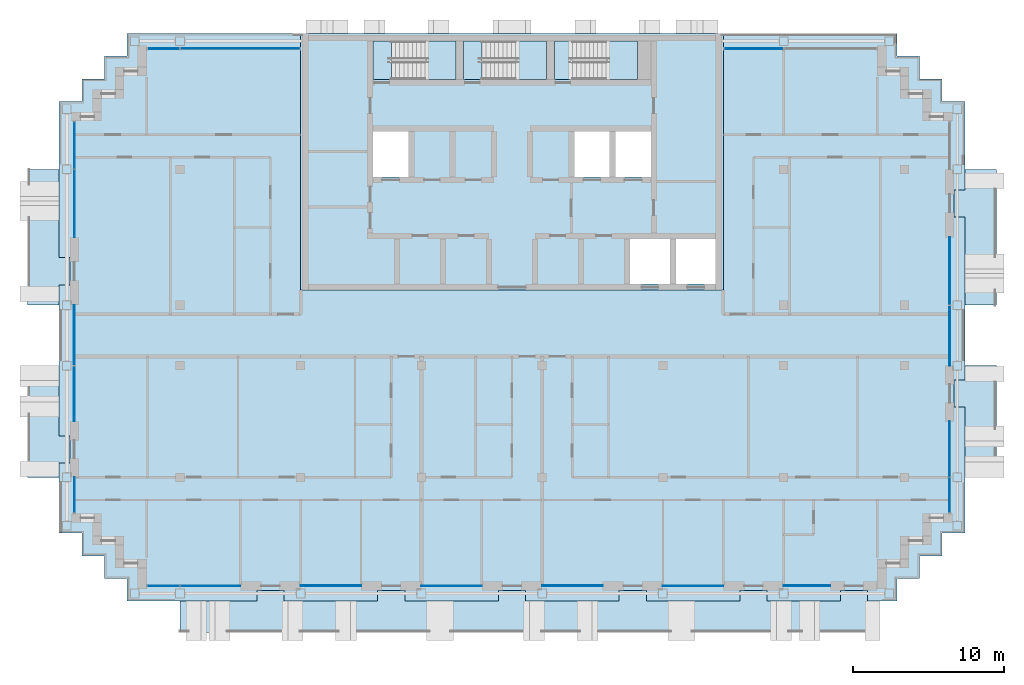
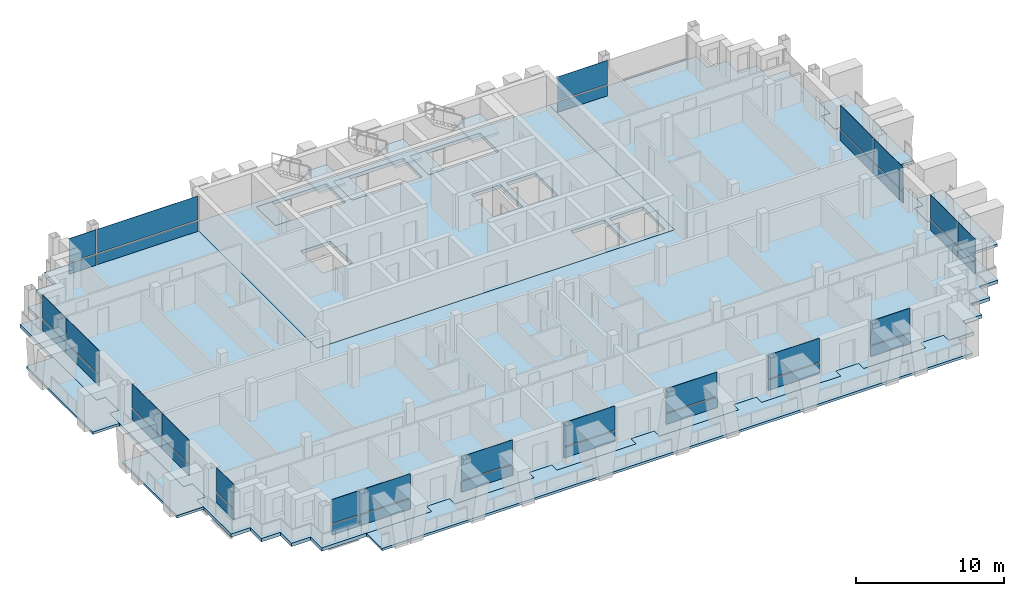
# One storey, part 6 of 16: 38 plates, 13 slabs, 16 elements without a shape of their own.
"""IFC4 building model written with IfcOpenShell, lengths in metres."""

from ifc_helpers import new_model, si_unit, direction, frame, origin, origin_2d, place, context, subcontext, project, spatial, polyline, rectangle, outline, extrude, material, layer, layer_set, type_object, element, aggregate, save


model = new_model("IFC4")

# Units and contexts
model_context = context("Model", 3, precision=1e-05, world=origin(), true_north=direction((0.0, 1.0)))
body_context = subcontext(model_context, "Body", "Model", "MODEL_VIEW")
ifc_project = project(units=[si_unit("LENGTHUNIT", "METRE"), si_unit("AREAUNIT", "SQUARE_METRE"), si_unit("VOLUMEUNIT", "CUBIC_METRE"), si_unit("PLANEANGLEUNIT", "RADIAN"), si_unit("MASSUNIT", "GRAM", prefix="KILO")], contexts=[model_context])

# Site, building, storey
site_placement = place(None, origin())
site = spatial("IfcSite", under=ifc_project, at=site_placement, CompositionType="ELEMENT")
building_placement = place(site_placement, origin())
building = spatial("IfcBuilding", under=site, at=building_placement, Name="Vidyagriha Tower", CompositionType="ELEMENT")
storey_placement = place(building_placement, frame((0.0, 0.0, 223.60009765625)))
storey = spatial("IfcBuildingStorey", under=building, at=storey_placement, Name="L58", CompositionType="ELEMENT", Elevation=223.60009765625)

# Curtain wall, plate
ifc_material_1 = material(Name="Aluminium and glass curtain wall", Category="aluminium")
curtain_wall_type = type_object("IfcCurtainWallType", Name="Dwelling skin unitised curtain wall", PredefinedType="USERDEFINED", material=ifc_material_1)
curtain_wall_1_placement = place(storey_placement, origin())
curtain_wall_1 = element("IfcCurtainWall", 1, at=curtain_wall_1_placement, inside=storey, type_object=curtain_wall_type, Name="CW1 dwelling skin", ObjectType="UNITISED", PredefinedType="USERDEFINED")
ifc_material_2 = material(Name="Glass dark ceramic-fritted spandrel", Category="glass")
ifc_layer_1 = layer(ifc_material_2, 0.0400390625)
ifc_layer_set_1 = layer_set([ifc_layer_1], Name="Glass dark ceramic-fritted spandrel")
plate_type_1 = type_object("IfcPlateType", Name="Ceramic-fritted spandrel panel", PredefinedType="CURTAIN_PANEL", material=ifc_layer_set_1)
plate_1_placement = place(storey_placement, frame((-18.017578125, 19.0, -0.000244140625), z_axis=(0.0, 0.0, 1.0), x_axis=(-1.0, 0.0, 0.0)))
plate_1 = element("IfcPlate", 2, at=plate_1_placement, type_object=plate_type_1, Name="CW1 panel 1.1", PredefinedType="CURTAIN_PANEL", context=body_context, shape_type="SweptSolid", body=[
    extrude(rectangle(XDim=7.89501953125, YDim=0.0400390625, at=origin_2d()), origin(), (0.0, 0.0, 1.0), 0.85009765625),
])

# Curtain wall, plates
curtain_wall_2_placement = place(storey_placement, origin())
curtain_wall_2 = element("IfcCurtainWall", 3, at=curtain_wall_2_placement, inside=storey, type_object=curtain_wall_type, Name="CW1 dwelling skin", ObjectType="UNITISED", PredefinedType="USERDEFINED")
plate_2_placement = place(storey_placement, frame((-29.0, 12.58251953125, -0.000244140625), z_axis=(0.0, 0.0, 1.0), x_axis=(0.0, -1.0, 0.0)))
plate_2 = element("IfcPlate", 4, at=plate_2_placement, type_object=plate_type_1, Name="CW1 panel 1.1", PredefinedType="CURTAIN_PANEL", context=body_context, shape_type="SweptSolid", body=[
    extrude(rectangle(XDim=3.094970703125, YDim=0.0400390625, at=origin_2d()), origin(), (0.0, 0.0, 1.0), 0.85009765625),
])
plate_3_placement = place(storey_placement, frame((-29.0, 8.732421875, -0.000244140625), z_axis=(0.0, 0.0, 1.0), x_axis=(0.0, -1.0, 0.0)))
plate_3 = element("IfcPlate", 5, at=plate_3_placement, type_object=plate_type_1, Name="CW1 panel 2.1", PredefinedType="CURTAIN_PANEL", context=body_context, shape_type="SweptSolid", body=[
    extrude(rectangle(XDim=4.465087890625, YDim=0.0400390625, at=origin_2d()), origin(), (0.0, 0.0, 1.0), 0.85009765625),
])

# Curtain wall, plate
curtain_wall_3_placement = place(storey_placement, origin())
curtain_wall_3 = element("IfcCurtainWall", 6, at=curtain_wall_3_placement, inside=storey, type_object=curtain_wall_type, Name="CW1 dwelling skin", ObjectType="UNITISED", PredefinedType="USERDEFINED")
plate_4_placement = place(storey_placement, frame((-29.0, -10.56494140625, -0.000244140625), z_axis=(0.0, 0.0, 1.0), x_axis=(0.0, -1.0, 0.0)))
plate_4 = element("IfcPlate", 7, at=plate_4_placement, type_object=plate_type_1, Name="CW1 panel 1.1", PredefinedType="CURTAIN_PANEL", context=body_context, shape_type="SweptSolid", body=[
    extrude(rectangle(XDim=2.330078125, YDim=0.0400390625, at=origin_2d()), origin(), (0.0, 0.0, 1.0), 0.85009765625),
])

# Curtain wall, plates
curtain_wall_4_placement = place(storey_placement, origin())
curtain_wall_4 = element("IfcCurtainWall", 8, at=curtain_wall_4_placement, inside=storey, type_object=curtain_wall_type, Name="CW1 dwelling skin", ObjectType="UNITISED", PredefinedType="USERDEFINED")
plate_5_placement = place(storey_placement, frame((-23.08251953125, -16.60009765625, -0.000244140625)))
plate_5 = element("IfcPlate", 9, at=plate_5_placement, type_object=plate_type_1, Name="CW1 panel 1.1", PredefinedType="CURTAIN_PANEL", context=body_context, shape_type="SweptSolid", body=[
    extrude(rectangle(XDim=2.094970703125, YDim=0.0400390625, at=origin_2d()), origin(), (0.0, 0.0, 1.0), 0.85009765625),
])
plate_6_placement = place(storey_placement, frame((-19.982421875, -16.60009765625, -0.000244140625)))
plate_6 = element("IfcPlate", 10, at=plate_6_placement, type_object=plate_type_1, Name="CW1 panel 2.1", PredefinedType="CURTAIN_PANEL", context=body_context, shape_type="SweptSolid", body=[
    extrude(rectangle(XDim=3.965087890625, YDim=0.0400390625, at=origin_2d()), origin(), (0.0, 0.0, 1.0), 0.85009765625),
])

# Curtain wall, plate
curtain_wall_5_placement = place(storey_placement, origin())
curtain_wall_5 = element("IfcCurtainWall", 11, at=curtain_wall_5_placement, inside=storey, type_object=curtain_wall_type, Name="CW1 dwelling skin", ObjectType="UNITISED", PredefinedType="USERDEFINED")
plate_7_placement = place(storey_placement, frame((-4.0, -16.60009765625, -0.000244140625)))
plate_7 = element("IfcPlate", 12, at=plate_7_placement, type_object=plate_type_1, Name="CW1 panel 1.1", PredefinedType="CURTAIN_PANEL", context=body_context, shape_type="SweptSolid", body=[
    extrude(rectangle(XDim=4.0, YDim=0.0400390625, at=origin_2d()), origin(), (0.0, 0.0, 1.0), 0.85009765625),
])

curtain_wall_6_placement = place(storey_placement, origin())
curtain_wall_6 = element("IfcCurtainWall", 13, at=curtain_wall_6_placement, inside=storey, type_object=curtain_wall_type, Name="CW1 dwelling skin", ObjectType="UNITISED", PredefinedType="USERDEFINED")
plate_8_placement = place(storey_placement, frame((12.0, -16.60009765625, -0.000244140625)))
plate_8 = element("IfcPlate", 14, at=plate_8_placement, type_object=plate_type_1, Name="CW1 panel 1.1", PredefinedType="CURTAIN_PANEL", context=body_context, shape_type="SweptSolid", body=[
    extrude(rectangle(XDim=4.0, YDim=0.0400390625, at=origin_2d()), origin(), (0.0, 0.0, 1.0), 0.85009765625),
])

# Curtain wall, plates
curtain_wall_7_placement = place(storey_placement, origin())
curtain_wall_7 = element("IfcCurtainWall", 15, at=curtain_wall_7_placement, inside=storey, type_object=curtain_wall_type, Name="CW1 dwelling skin", ObjectType="UNITISED", PredefinedType="USERDEFINED")
plate_9_placement = place(storey_placement, frame((29.0, -10.58251953125, -0.000244140625), z_axis=(0.0, 0.0, 1.0), x_axis=(0.0, 1.0, 0.0)))
plate_9 = element("IfcPlate", 16, at=plate_9_placement, type_object=plate_type_1, Name="CW1 panel 1.1", PredefinedType="CURTAIN_PANEL", context=body_context, shape_type="SweptSolid", body=[
    extrude(rectangle(XDim=2.294921875, YDim=0.0400390625, at=origin_2d()), origin(), (0.0, 0.0, 1.0), 0.85009765625),
])
plate_10_placement = place(storey_placement, frame((29.0, -7.532470703125, -0.000244140625), z_axis=(0.0, 0.0, 1.0), x_axis=(0.0, 1.0, 0.0)))
plate_10 = element("IfcPlate", 17, at=plate_10_placement, type_object=plate_type_1, Name="CW1 panel 2.1", PredefinedType="CURTAIN_PANEL", context=body_context, shape_type="SweptSolid", body=[
    extrude(rectangle(XDim=3.6650390625, YDim=0.0400390625, at=origin_2d()), origin(), (0.0, 0.0, 1.0), 0.85009765625),
])

# Slab
ifc_material_3 = material(Name="Concrete C60/75", Category="concrete")
ifc_layer_2 = layer(ifc_material_3, 0.280029296875)
ifc_layer_set_2 = layer_set([ifc_layer_2], Name="Concrete C60/75")
slab_type_1 = type_object("IfcSlabType", Name="Core floor slab 280 mm", PredefinedType="FLOOR", material=ifc_layer_set_2)
slab_1_placement = place(storey_placement, frame((0.0, 0.0, -0.280029296875)))
element("IfcSlab", 18, at=slab_1_placement, inside=storey, type_object=slab_type_1, Name="L58 core floor 1", PredefinedType="FLOOR", context=body_context, shape_type="SweptSolid", body=[
    extrude(outline(polyline([(-14.0, 3.0), (-14.0, 20.0), (14.0, 20.0), (14.0, 3.0), (-14.0, 3.0)]), holes=[polyline([(13.5, 6.39990234375), (10.855712890625, 6.39990234375), (10.855712890625, 3.39990234375), (13.5, 3.39990234375), (13.5, 6.39990234375)]), polyline([(10.45556640625, 6.39990234375), (7.81103515625, 6.39990234375), (7.81103515625, 3.39990234375), (10.45556640625, 3.39990234375), (10.45556640625, 6.39990234375)]), polyline([(9.199951171875, 13.5), (6.86669921875, 13.5), (6.86669921875, 10.5), (9.199951171875, 10.5), (9.199951171875, 13.5)]), polyline([(2.800048828125, 19.5), (2.800048828125, 16.949951171875), (4.0, 16.949951171875), (8.300048828125, 16.949951171875), (8.300048828125, 19.5), (4.0, 19.5), (2.800048828125, 19.5)]), polyline([(4.13330078125, 13.5), (4.13330078125, 10.5), (6.466796875, 10.5), (6.466796875, 13.5), (4.13330078125, 13.5)]), polyline([(-2.0, 19.5), (-3.199951171875, 19.5), (-3.199951171875, 16.949951171875), (-2.0, 16.949951171875), (2.300048828125, 16.949951171875), (2.300048828125, 19.5), (-2.0, 19.5)]), polyline([(-9.199951171875, 19.5), (-9.199951171875, 16.949951171875), (-8.0, 16.949951171875), (-3.699951171875, 16.949951171875), (-3.699951171875, 19.5), (-8.0, 19.5), (-9.199951171875, 19.5)]), polyline([(-9.199951171875, 13.5), (-9.199951171875, 10.5), (-6.86669921875, 10.5), (-6.86669921875, 13.5), (-9.199951171875, 13.5)])]), origin(), (0.0, 0.0, 1.0), 0.280029296875),
])

# Curtain wall, plate
curtain_wall_8_placement = place(storey_placement, origin())
curtain_wall_8 = element("IfcCurtainWall", 19, at=curtain_wall_8_placement, inside=storey, type_object=curtain_wall_type, Name="CW1 dwelling skin", ObjectType="UNITISED", PredefinedType="USERDEFINED")
ifc_material_4 = material(Name="Glass dark ceramic-fritted", Category="glass")
ifc_layer_3 = layer(ifc_material_4, 0.028076171875)
ifc_layer_set_3 = layer_set([ifc_layer_3], Name="Glass dark ceramic-fritted")
plate_type_2 = type_object("IfcPlateType", Name="Dark ceramic-fritted vision glass panel", PredefinedType="CURTAIN_PANEL", material=ifc_layer_set_3)
plate_11_placement = place(storey_placement, frame((16.017578125, 19.0, 0.94970703125), z_axis=(0.0, 0.0, 1.0), x_axis=(-1.0, 0.0, 0.0)))
plate_11 = element("IfcPlate", 20, at=plate_11_placement, type_object=plate_type_2, Name="CW1 panel 2.2", PredefinedType="CURTAIN_PANEL", context=body_context, shape_type="SweptSolid", body=[
    extrude(rectangle(XDim=3.89501953125, YDim=0.028076171875, at=origin_2d()), origin(), (0.0, 0.0, 1.0), 1.969970703125),
])

# Plate
plate_12_placement = place(storey_placement, frame((-18.017578125, 19.0, 0.94970703125), z_axis=(0.0, 0.0, 1.0), x_axis=(-1.0, 0.0, 0.0)))
plate_12 = element("IfcPlate", 21, at=plate_12_placement, type_object=plate_type_2, Name="CW1 panel 1.2", PredefinedType="CURTAIN_PANEL", context=body_context, shape_type="SweptSolid", body=[
    extrude(rectangle(XDim=7.89501953125, YDim=0.028076171875, at=origin_2d()), origin(), (0.0, 0.0, 1.0), 1.969970703125),
])

plate_13_placement = place(storey_placement, frame((-23.08251953125, 19.0, 0.94970703125), z_axis=(0.0, 0.0, 1.0), x_axis=(-1.0, 0.0, 0.0)))
plate_13 = element("IfcPlate", 22, at=plate_13_placement, type_object=plate_type_2, Name="CW1 panel 2.2", PredefinedType="CURTAIN_PANEL", context=body_context, shape_type="SweptSolid", body=[
    extrude(rectangle(XDim=2.094970703125, YDim=0.028076171875, at=origin_2d()), origin(), (0.0, 0.0, 1.0), 1.969970703125),
])

plate_14_placement = place(storey_placement, frame((-29.0, 12.58251953125, 0.94970703125), z_axis=(0.0, 0.0, 1.0), x_axis=(0.0, -1.0, 0.0)))
plate_14 = element("IfcPlate", 23, at=plate_14_placement, type_object=plate_type_2, Name="CW1 panel 1.2", PredefinedType="CURTAIN_PANEL", context=body_context, shape_type="SweptSolid", body=[
    extrude(rectangle(XDim=3.094970703125, YDim=0.028076171875, at=origin_2d()), origin(), (0.0, 0.0, 1.0), 1.969970703125),
])

plate_15_placement = place(storey_placement, frame((-29.0, 8.732421875, 0.94970703125), z_axis=(0.0, 0.0, 1.0), x_axis=(0.0, -1.0, 0.0)))
plate_15 = element("IfcPlate", 24, at=plate_15_placement, type_object=plate_type_2, Name="CW1 panel 2.2", PredefinedType="CURTAIN_PANEL", context=body_context, shape_type="SweptSolid", body=[
    extrude(rectangle(XDim=4.465087890625, YDim=0.028076171875, at=origin_2d()), origin(), (0.0, 0.0, 1.0), 1.969970703125),
])

aggregate(curtain_wall_2, [plate_2, plate_14, plate_3, plate_15])

# Curtain wall, plates
curtain_wall_9_placement = place(storey_placement, origin())
curtain_wall_9 = element("IfcCurtainWall", 25, at=curtain_wall_9_placement, inside=storey, type_object=curtain_wall_type, Name="CW1 dwelling skin", ObjectType="UNITISED", PredefinedType="USERDEFINED")
plate_16_placement = place(storey_placement, frame((-29.0, 0.017578125, 0.94970703125), z_axis=(0.0, 0.0, 1.0), x_axis=(0.0, -1.0, 0.0)))
plate_16 = element("IfcPlate", 26, at=plate_16_placement, type_object=plate_type_2, Name="CW1 panel 1.2", PredefinedType="CURTAIN_PANEL", context=body_context, shape_type="SweptSolid", body=[
    extrude(rectangle(XDim=3.965087890625, YDim=0.028076171875, at=origin_2d()), origin(), (0.0, 0.0, 1.0), 1.969970703125),
])
plate_17_placement = place(storey_placement, frame((-29.0, -3.867431640625, 0.94970703125), z_axis=(0.0, 0.0, 1.0), x_axis=(0.0, -1.0, 0.0)))
plate_17 = element("IfcPlate", 27, at=plate_17_placement, type_object=plate_type_2, Name="CW1 panel 2.2", PredefinedType="CURTAIN_PANEL", context=body_context, shape_type="SweptSolid", body=[
    extrude(rectangle(XDim=3.6650390625, YDim=0.028076171875, at=origin_2d()), origin(), (0.0, 0.0, 1.0), 1.969970703125),
])

# Plate
plate_18_placement = place(storey_placement, frame((-29.0, -10.56494140625, 0.94970703125), z_axis=(0.0, 0.0, 1.0), x_axis=(0.0, -1.0, 0.0)))
plate_18 = element("IfcPlate", 28, at=plate_18_placement, type_object=plate_type_2, Name="CW1 panel 1.2", PredefinedType="CURTAIN_PANEL", context=body_context, shape_type="SweptSolid", body=[
    extrude(rectangle(XDim=2.330078125, YDim=0.028076171875, at=origin_2d()), origin(), (0.0, 0.0, 1.0), 1.969970703125),
])

aggregate(curtain_wall_3, [plate_4, plate_18])

plate_19_placement = place(storey_placement, frame((-23.08251953125, -16.60009765625, 0.94970703125)))
plate_19 = element("IfcPlate", 29, at=plate_19_placement, type_object=plate_type_2, Name="CW1 panel 1.2", PredefinedType="CURTAIN_PANEL", context=body_context, shape_type="SweptSolid", body=[
    extrude(rectangle(XDim=2.094970703125, YDim=0.028076171875, at=origin_2d()), origin(), (0.0, 0.0, 1.0), 1.969970703125),
])

plate_20_placement = place(storey_placement, frame((-19.982421875, -16.60009765625, 0.94970703125)))
plate_20 = element("IfcPlate", 30, at=plate_20_placement, type_object=plate_type_2, Name="CW1 panel 2.2", PredefinedType="CURTAIN_PANEL", context=body_context, shape_type="SweptSolid", body=[
    extrude(rectangle(XDim=3.965087890625, YDim=0.028076171875, at=origin_2d()), origin(), (0.0, 0.0, 1.0), 1.969970703125),
])

aggregate(curtain_wall_4, [plate_5, plate_19, plate_6, plate_20])

# Curtain wall, plate
curtain_wall_10_placement = place(storey_placement, origin())
curtain_wall_10 = element("IfcCurtainWall", 31, at=curtain_wall_10_placement, inside=storey, type_object=curtain_wall_type, Name="CW1 dwelling skin", ObjectType="UNITISED", PredefinedType="USERDEFINED")
plate_21_placement = place(storey_placement, frame((-12.0, -16.60009765625, 0.94970703125)))
plate_21 = element("IfcPlate", 32, at=plate_21_placement, type_object=plate_type_2, Name="CW1 panel 1.2", PredefinedType="CURTAIN_PANEL", context=body_context, shape_type="SweptSolid", body=[
    extrude(rectangle(XDim=4.0, YDim=0.028076171875, at=origin_2d()), origin(), (0.0, 0.0, 1.0), 1.969970703125),
])

# Plate
plate_22_placement = place(storey_placement, frame((-4.0, -16.60009765625, 0.94970703125)))
plate_22 = element("IfcPlate", 33, at=plate_22_placement, type_object=plate_type_2, Name="CW1 panel 1.2", PredefinedType="CURTAIN_PANEL", context=body_context, shape_type="SweptSolid", body=[
    extrude(rectangle(XDim=4.0, YDim=0.028076171875, at=origin_2d()), origin(), (0.0, 0.0, 1.0), 1.969970703125),
])

aggregate(curtain_wall_5, [plate_7, plate_22])

# Curtain wall, plate
curtain_wall_11_placement = place(storey_placement, origin())
curtain_wall_11 = element("IfcCurtainWall", 34, at=curtain_wall_11_placement, inside=storey, type_object=curtain_wall_type, Name="CW1 dwelling skin", ObjectType="UNITISED", PredefinedType="USERDEFINED")
plate_23_placement = place(storey_placement, frame((4.0, -16.60009765625, 0.94970703125)))
plate_23 = element("IfcPlate", 35, at=plate_23_placement, type_object=plate_type_2, Name="CW1 panel 1.2", PredefinedType="CURTAIN_PANEL", context=body_context, shape_type="SweptSolid", body=[
    extrude(rectangle(XDim=4.0, YDim=0.028076171875, at=origin_2d()), origin(), (0.0, 0.0, 1.0), 1.969970703125),
])

# Plate
plate_24_placement = place(storey_placement, frame((12.0, -16.60009765625, 0.94970703125)))
plate_24 = element("IfcPlate", 36, at=plate_24_placement, type_object=plate_type_2, Name="CW1 panel 1.2", PredefinedType="CURTAIN_PANEL", context=body_context, shape_type="SweptSolid", body=[
    extrude(rectangle(XDim=4.0, YDim=0.028076171875, at=origin_2d()), origin(), (0.0, 0.0, 1.0), 1.969970703125),
])

aggregate(curtain_wall_6, [plate_8, plate_24])

# Curtain wall, plate
curtain_wall_12_placement = place(storey_placement, origin())
curtain_wall_12 = element("IfcCurtainWall", 37, at=curtain_wall_12_placement, inside=storey, type_object=curtain_wall_type, Name="CW1 dwelling skin", ObjectType="UNITISED", PredefinedType="USERDEFINED")
plate_25_placement = place(storey_placement, frame((19.550048828125, -16.60009765625, 0.94970703125)))
plate_25 = element("IfcPlate", 38, at=plate_25_placement, type_object=plate_type_2, Name="CW1 panel 1.2", PredefinedType="CURTAIN_PANEL", context=body_context, shape_type="SweptSolid", body=[
    extrude(rectangle(XDim=3.10009765625, YDim=0.028076171875, at=origin_2d()), origin(), (0.0, 0.0, 1.0), 1.969970703125),
])

# Plate
plate_26_placement = place(storey_placement, frame((29.0, -10.58251953125, 0.94970703125), z_axis=(0.0, 0.0, 1.0), x_axis=(0.0, 1.0, 0.0)))
plate_26 = element("IfcPlate", 39, at=plate_26_placement, type_object=plate_type_2, Name="CW1 panel 1.2", PredefinedType="CURTAIN_PANEL", context=body_context, shape_type="SweptSolid", body=[
    extrude(rectangle(XDim=2.294921875, YDim=0.028076171875, at=origin_2d()), origin(), (0.0, 0.0, 1.0), 1.969970703125),
])

plate_27_placement = place(storey_placement, frame((29.0, -7.532470703125, 0.94970703125), z_axis=(0.0, 0.0, 1.0), x_axis=(0.0, 1.0, 0.0)))
plate_27 = element("IfcPlate", 40, at=plate_27_placement, type_object=plate_type_2, Name="CW1 panel 2.2", PredefinedType="CURTAIN_PANEL", context=body_context, shape_type="SweptSolid", body=[
    extrude(rectangle(XDim=3.6650390625, YDim=0.028076171875, at=origin_2d()), origin(), (0.0, 0.0, 1.0), 1.969970703125),
])

aggregate(curtain_wall_7, [plate_9, plate_26, plate_10, plate_27])

# Curtain wall, plates
curtain_wall_13_placement = place(storey_placement, origin())
curtain_wall_13 = element("IfcCurtainWall", 41, at=curtain_wall_13_placement, inside=storey, type_object=curtain_wall_type, Name="CW1 dwelling skin", ObjectType="UNITISED", PredefinedType="USERDEFINED")
plate_28_placement = place(storey_placement, frame((29.0, -0.017578125, 0.94970703125), z_axis=(0.0, 0.0, 1.0), x_axis=(0.0, 1.0, 0.0)))
plate_28 = element("IfcPlate", 42, at=plate_28_placement, type_object=plate_type_2, Name="CW1 panel 1.2", PredefinedType="CURTAIN_PANEL", context=body_context, shape_type="SweptSolid", body=[
    extrude(rectangle(XDim=3.965087890625, YDim=0.028076171875, at=origin_2d()), origin(), (0.0, 0.0, 1.0), 1.969970703125),
])
plate_29_placement = place(storey_placement, frame((29.0, 4.267578125, 0.94970703125), z_axis=(0.0, 0.0, 1.0), x_axis=(0.0, 1.0, 0.0)))
plate_29 = element("IfcPlate", 43, at=plate_29_placement, type_object=plate_type_2, Name="CW1 panel 2.2", PredefinedType="CURTAIN_PANEL", context=body_context, shape_type="SweptSolid", body=[
    extrude(rectangle(XDim=4.465087890625, YDim=0.028076171875, at=origin_2d()), origin(), (0.0, 0.0, 1.0), 1.969970703125),
])

# Slabs
ifc_material_5 = material(Name="Concrete C40/50", Category="concrete")
ifc_layer_4 = layer(ifc_material_5, 0.280029296875)
ifc_layer_set_4 = layer_set([ifc_layer_4], Name="Concrete C40/50")
slab_type_2 = type_object("IfcSlabType", Name="Exit stair floor landing 280 mm", PredefinedType="LANDING", material=ifc_layer_set_4)
slab_2_placement = place(storey_placement, frame((0.0, 0.0, -0.280029296875)))
element("IfcSlab", 44, at=slab_2_placement, inside=storey, type_object=slab_type_2, Name="ST1 floor landing L58", PredefinedType="LANDING", context=body_context, shape_type="SweptSolid", body=[
    extrude(outline(polyline([(-9.199951171875, 16.949951171875), (-8.0, 16.949951171875), (-8.0, 19.5), (-9.199951171875, 19.5), (-9.199951171875, 16.949951171875)])), origin(), (0.0, 0.0, 1.0), 0.280029296875),
])
slab_3_placement = place(storey_placement, frame((0.0, 0.0, -0.280029296875)))
element("IfcSlab", 45, at=slab_3_placement, inside=storey, type_object=slab_type_2, Name="ST2 floor landing L58", PredefinedType="LANDING", context=body_context, shape_type="SweptSolid", body=[
    extrude(outline(polyline([(-3.199951171875, 16.949951171875), (-2.0, 16.949951171875), (-2.0, 19.5), (-3.199951171875, 19.5), (-3.199951171875, 16.949951171875)])), origin(), (0.0, 0.0, 1.0), 0.280029296875),
])
slab_4_placement = place(storey_placement, frame((0.0, 0.0, -0.280029296875)))
element("IfcSlab", 46, at=slab_4_placement, inside=storey, type_object=slab_type_2, Name="ST3 floor landing L58", PredefinedType="LANDING", context=body_context, shape_type="SweptSolid", body=[
    extrude(outline(polyline([(2.800048828125, 16.949951171875), (4.0, 16.949951171875), (4.0, 19.5), (2.800048828125, 19.5), (2.800048828125, 16.949951171875)])), origin(), (0.0, 0.0, 1.0), 0.280029296875),
])

# Stair, slab
ifc_material_6 = material(Name="Concrete C40/50", Category="concrete")
stair_type = type_object("IfcStairType", Name="Exit stair, half-turn, precast flights", PredefinedType="HALF_TURN_STAIR", material=ifc_material_6)
stair_1_placement = place(storey_placement, origin())
stair_1 = element("IfcStair", 47, at=stair_1_placement, inside=storey, type_object=stair_type, Name="L58 Exit Stair ST1", PredefinedType="HALF_TURN_STAIR")
ifc_material_7 = material(Name="Concrete C40/50", Category="concrete")
ifc_layer_5 = layer(ifc_material_7, 0.199951171875)
ifc_layer_set_5 = layer_set([ifc_layer_5], Name="Concrete C40/50")
slab_type_3 = type_object("IfcSlabType", Name="Exit stair landing 200 mm", PredefinedType="LANDING", material=ifc_layer_set_5)
slab_5_placement = place(storey_placement, frame((0.0, 0.0, 1.39990234375)))
slab_5 = element("IfcSlab", 48, at=slab_5_placement, type_object=slab_type_3, Name="ST1 landing 1", PredefinedType="LANDING", context=body_context, shape_type="SweptSolid", body=[
    extrude(outline(polyline([(-5.760009765625, 16.949951171875), (-3.699951171875, 16.949951171875), (-3.699951171875, 19.5), (-5.760009765625, 19.5), (-5.760009765625, 16.949951171875)])), origin(), (0.0, 0.0, 1.0), 0.199951171875),
])
aggregate(stair_1, [slab_5])

stair_2_placement = place(storey_placement, origin())
stair_2 = element("IfcStair", 49, at=stair_2_placement, inside=storey, type_object=stair_type, Name="L58 Exit Stair ST2", PredefinedType="HALF_TURN_STAIR")
slab_6_placement = place(storey_placement, frame((0.0, 0.0, 1.39990234375)))
slab_6 = element("IfcSlab", 50, at=slab_6_placement, type_object=slab_type_3, Name="ST2 landing 1", PredefinedType="LANDING", context=body_context, shape_type="SweptSolid", body=[
    extrude(outline(polyline([(0.239990234375, 16.949951171875), (2.300048828125, 16.949951171875), (2.300048828125, 19.5), (0.239990234375, 19.5), (0.239990234375, 16.949951171875)])), origin(), (0.0, 0.0, 1.0), 0.199951171875),
])
aggregate(stair_2, [slab_6])

stair_3_placement = place(storey_placement, origin())
stair_3 = element("IfcStair", 51, at=stair_3_placement, inside=storey, type_object=stair_type, Name="L58 Exit Stair ST3", PredefinedType="HALF_TURN_STAIR")
slab_7_placement = place(storey_placement, frame((0.0, 0.0, 1.39990234375)))
slab_7 = element("IfcSlab", 52, at=slab_7_placement, type_object=slab_type_3, Name="ST3 landing 1", PredefinedType="LANDING", context=body_context, shape_type="SweptSolid", body=[
    extrude(outline(polyline([(6.239990234375, 16.949951171875), (8.300048828125, 16.949951171875), (8.300048828125, 19.5), (6.239990234375, 19.5), (6.239990234375, 16.949951171875)])), origin(), (0.0, 0.0, 1.0), 0.199951171875),
])
aggregate(stair_3, [slab_7])

# Plate
ifc_material_8 = material(Name="Aluminium black anodised", Category="aluminium")
ifc_layer_6 = layer(ifc_material_8, 0.06005859375)
ifc_layer_set_6 = layer_set([ifc_layer_6], Name="Aluminium black anodised")
plate_type_3 = type_object("IfcPlateType", Name="Operable black-metal vent panel", PredefinedType="CURTAIN_PANEL", material=ifc_layer_set_6)
plate_30_placement = place(storey_placement, frame((16.017578125, 19.0, -0.000244140625), z_axis=(0.0, 0.0, 1.0), x_axis=(-1.0, 0.0, 0.0)))
plate_30 = element("IfcPlate", 53, at=plate_30_placement, type_object=plate_type_3, Name="CW1 panel 2.1", PredefinedType="CURTAIN_PANEL", context=body_context, shape_type="SweptSolid", body=[
    extrude(rectangle(XDim=3.89501953125, YDim=0.06005859375, at=origin_2d()), origin(), (0.0, 0.0, 1.0), 0.85009765625),
])

aggregate(curtain_wall_8, [plate_30, plate_11])

plate_31_placement = place(storey_placement, frame((-23.08251953125, 19.0, -0.000244140625), z_axis=(0.0, 0.0, 1.0), x_axis=(-1.0, 0.0, 0.0)))
plate_31 = element("IfcPlate", 54, at=plate_31_placement, type_object=plate_type_3, Name="CW1 panel 2.1", PredefinedType="CURTAIN_PANEL", context=body_context, shape_type="SweptSolid", body=[
    extrude(rectangle(XDim=2.094970703125, YDim=0.06005859375, at=origin_2d()), origin(), (0.0, 0.0, 1.0), 0.85009765625),
])

aggregate(curtain_wall_1, [plate_1, plate_12, plate_31, plate_13])

plate_32_placement = place(storey_placement, frame((-29.0, 0.017578125, -0.000244140625), z_axis=(0.0, 0.0, 1.0), x_axis=(0.0, -1.0, 0.0)))
plate_32 = element("IfcPlate", 55, at=plate_32_placement, type_object=plate_type_3, Name="CW1 panel 1.1", PredefinedType="CURTAIN_PANEL", context=body_context, shape_type="SweptSolid", body=[
    extrude(rectangle(XDim=3.965087890625, YDim=0.06005859375, at=origin_2d()), origin(), (0.0, 0.0, 1.0), 0.85009765625),
])

plate_33_placement = place(storey_placement, frame((-29.0, -3.867431640625, -0.000244140625), z_axis=(0.0, 0.0, 1.0), x_axis=(0.0, -1.0, 0.0)))
plate_33 = element("IfcPlate", 56, at=plate_33_placement, type_object=plate_type_3, Name="CW1 panel 2.1", PredefinedType="CURTAIN_PANEL", context=body_context, shape_type="SweptSolid", body=[
    extrude(rectangle(XDim=3.6650390625, YDim=0.06005859375, at=origin_2d()), origin(), (0.0, 0.0, 1.0), 0.85009765625),
])

aggregate(curtain_wall_9, [plate_32, plate_16, plate_33, plate_17])

plate_34_placement = place(storey_placement, frame((-12.0, -16.60009765625, -0.000244140625)))
plate_34 = element("IfcPlate", 57, at=plate_34_placement, type_object=plate_type_3, Name="CW1 panel 1.1", PredefinedType="CURTAIN_PANEL", context=body_context, shape_type="SweptSolid", body=[
    extrude(rectangle(XDim=4.0, YDim=0.06005859375, at=origin_2d()), origin(), (0.0, 0.0, 1.0), 0.85009765625),
])

aggregate(curtain_wall_10, [plate_34, plate_21])

plate_35_placement = place(storey_placement, frame((4.0, -16.60009765625, -0.000244140625)))
plate_35 = element("IfcPlate", 58, at=plate_35_placement, type_object=plate_type_3, Name="CW1 panel 1.1", PredefinedType="CURTAIN_PANEL", context=body_context, shape_type="SweptSolid", body=[
    extrude(rectangle(XDim=4.0, YDim=0.06005859375, at=origin_2d()), origin(), (0.0, 0.0, 1.0), 0.85009765625),
])

aggregate(curtain_wall_11, [plate_35, plate_23])

plate_36_placement = place(storey_placement, frame((19.550048828125, -16.60009765625, -0.000244140625)))
plate_36 = element("IfcPlate", 59, at=plate_36_placement, type_object=plate_type_3, Name="CW1 panel 1.1", PredefinedType="CURTAIN_PANEL", context=body_context, shape_type="SweptSolid", body=[
    extrude(rectangle(XDim=3.10009765625, YDim=0.06005859375, at=origin_2d()), origin(), (0.0, 0.0, 1.0), 0.85009765625),
])

aggregate(curtain_wall_12, [plate_36, plate_25])

plate_37_placement = place(storey_placement, frame((29.0, -0.017578125, -0.000244140625), z_axis=(0.0, 0.0, 1.0), x_axis=(0.0, 1.0, 0.0)))
plate_37 = element("IfcPlate", 60, at=plate_37_placement, type_object=plate_type_3, Name="CW1 panel 1.1", PredefinedType="CURTAIN_PANEL", context=body_context, shape_type="SweptSolid", body=[
    extrude(rectangle(XDim=3.965087890625, YDim=0.06005859375, at=origin_2d()), origin(), (0.0, 0.0, 1.0), 0.85009765625),
])

plate_38_placement = place(storey_placement, frame((29.0, 4.267578125, -0.000244140625), z_axis=(0.0, 0.0, 1.0), x_axis=(0.0, 1.0, 0.0)))
plate_38 = element("IfcPlate", 61, at=plate_38_placement, type_object=plate_type_3, Name="CW1 panel 2.1", PredefinedType="CURTAIN_PANEL", context=body_context, shape_type="SweptSolid", body=[
    extrude(rectangle(XDim=4.465087890625, YDim=0.06005859375, at=origin_2d()), origin(), (0.0, 0.0, 1.0), 0.85009765625),
])

aggregate(curtain_wall_13, [plate_37, plate_28, plate_38, plate_29])

# Slabs
ifc_material_9 = material(Name="Concrete C50/60", Category="concrete")
ifc_layer_7 = layer(ifc_material_9, 0.280029296875)
ifc_layer_set_7 = layer_set([ifc_layer_7], Name="Concrete C50/60")
slab_type_4 = type_object("IfcSlabType", Name="Post-tensioned flat plate 280", PredefinedType="FLOOR", material=ifc_layer_set_7)
slab_8_placement = place(storey_placement, frame((0.0, 0.0, -0.280029296875)))
element("IfcSlab", 62, at=slab_8_placement, inside=storey, type_object=slab_type_4, Name="st-slab-L58-1", PredefinedType="FLOOR", context=body_context, shape_type="SweptSolid", body=[
    extrude(outline(polyline([(28.5, -14.60009765625), (27.0, -14.60009765625), (27.0, -16.10009765625), (25.5, -16.10009765625), (25.5, -17.60009765625), (23.550048828125, -17.60009765625), (23.550048828125, -16.89990234375), (21.75, -16.89990234375), (21.75, -17.60009765625), (16.89990234375, -17.60009765625), (16.89990234375, -16.89990234375), (15.10009765625, -16.89990234375), (15.10009765625, -17.60009765625), (8.89990234375, -17.60009765625), (8.89990234375, -16.89990234375), (7.10009765625, -16.89990234375), (7.10009765625, -17.60009765625), (0.89990234375, -17.60009765625), (0.89990234375, -16.89990234375), (-0.89990234375, -16.89990234375), (-0.89990234375, -17.60009765625), (-7.10009765625, -17.60009765625), (-7.10009765625, -16.89990234375), (-8.89990234375, -16.89990234375), (-8.89990234375, -17.60009765625), (-15.10009765625, -17.60009765625), (-15.10009765625, -16.89990234375), (-16.89990234375, -16.89990234375), (-16.89990234375, -17.60009765625), (-25.5, -17.60009765625), (-25.5, -16.10009765625), (-27.0, -16.10009765625), (-27.0, -14.60009765625), (-28.5, -14.60009765625), (-28.5, -13.10009765625), (-30.0, -13.10009765625), (-30.0, -8.449951171875), (-29.300048828125, -8.449951171875), (-29.300048828125, -6.64990234375), (-30.0, -6.64990234375), (-30.0, 3.35009765625), (-29.300048828125, 3.35009765625), (-29.300048828125, 5.14990234375), (-30.0, 5.14990234375), (-30.0, 15.5), (-28.5, 15.5), (-28.5, 17.0), (-27.0, 17.0), (-27.0, 18.5), (-25.5, 18.5), (-25.5, 20.0), (-14.0, 20.0), (-14.0, 3.0), (14.0, 3.0), (14.0, 20.0), (25.5, 20.0), (25.5, 18.5), (27.0, 18.5), (27.0, 17.0), (28.5, 17.0), (28.5, 15.5), (30.0, 15.5), (30.0, 9.64990234375), (29.300048828125, 9.64990234375), (29.300048828125, 7.85009765625), (30.0, 7.85009765625), (30.0, -2.949951171875), (29.300048828125, -2.949951171875), (29.300048828125, -4.75), (30.0, -4.75), (30.0, -13.10009765625), (28.5, -13.10009765625), (28.5, -14.60009765625)])), origin(), (0.0, 0.0, 1.0), 0.280029296875),
])
ifc_material_10 = material(Name="Precast concrete C40/50", Category="concrete")
ifc_layer_8 = layer(ifc_material_10, 0.199951171875)
ifc_layer_set_8 = layer_set([ifc_layer_8], Name="Precast concrete C40/50")
slab_type_5 = type_object("IfcSlabType", Name="Precast balcony slab 200", PredefinedType="USERDEFINED", material=ifc_layer_set_8)
slab_9_placement = place(storey_placement, frame((0.0, 0.0, -0.2001953125)))
element("IfcSlab", 63, at=slab_9_placement, inside=storey, type_object=slab_type_5, Name="Balcony slab L58 R16.1-1", ObjectType="BALCONY", PredefinedType="USERDEFINED", context=body_context, shape_type="SweptSolid", body=[
    extrude(outline(polyline([(-29.300048828125, 3.35009765625), (-29.300048828125, 5.14990234375), (-30.0, 5.14990234375), (-30.0, 11.0), (-32.10009765625, 11.0), (-32.10009765625, 2.0), (-30.0, 2.0), (-30.0, 3.35009765625), (-29.300048828125, 3.35009765625)])), origin(), (0.0, 0.0, 1.0), 0.2001953125),
])
slab_10_placement = place(storey_placement, frame((0.0, 0.0, -0.2001953125)))
element("IfcSlab", 64, at=slab_10_placement, inside=storey, type_object=slab_type_5, Name="Balcony slab L58 R16.2-2", ObjectType="BALCONY", PredefinedType="USERDEFINED", context=body_context, shape_type="SweptSolid", body=[
    extrude(outline(polyline([(-29.300048828125, -8.449951171875), (-29.300048828125, -6.64990234375), (-30.0, -6.64990234375), (-30.0, -2.0), (-32.10009765625, -2.0), (-32.10009765625, -9.39990234375), (-30.0, -9.39990234375), (-30.0, -8.449951171875), (-29.300048828125, -8.449951171875)])), origin(), (0.0, 0.0, 1.0), 0.2001953125),
])
slab_11_placement = place(storey_placement, frame((0.0, 0.0, -0.2001953125)))
element("IfcSlab", 65, at=slab_11_placement, inside=storey, type_object=slab_type_5, Name="Balcony slab L58 R23.1-6", ObjectType="BALCONY", PredefinedType="USERDEFINED", context=body_context, shape_type="SweptSolid", body=[
    extrude(outline(polyline([(-16.89990234375, -16.89990234375), (-16.89990234375, -17.60009765625), (-22.0, -17.60009765625), (-22.0, -19.699951171875), (24.199951171875, -19.699951171875), (24.199951171875, -17.60009765625), (23.550048828125, -17.60009765625), (23.550048828125, -16.89990234375), (21.75, -16.89990234375), (21.75, -17.60009765625), (16.89990234375, -17.60009765625), (16.89990234375, -16.89990234375), (15.10009765625, -16.89990234375), (15.10009765625, -17.60009765625), (8.89990234375, -17.60009765625), (8.89990234375, -16.89990234375), (7.10009765625, -16.89990234375), (7.10009765625, -17.60009765625), (0.89990234375, -17.60009765625), (0.89990234375, -16.89990234375), (-0.89990234375, -16.89990234375), (-0.89990234375, -17.60009765625), (-7.10009765625, -17.60009765625), (-7.10009765625, -16.89990234375), (-8.89990234375, -16.89990234375), (-8.89990234375, -17.60009765625), (-15.10009765625, -17.60009765625), (-15.10009765625, -16.89990234375), (-16.89990234375, -16.89990234375)])), origin(), (0.0, 0.0, 1.0), 0.2001953125),
])
slab_12_placement = place(storey_placement, frame((0.0, 0.0, -0.2001953125)))
element("IfcSlab", 66, at=slab_12_placement, inside=storey, type_object=slab_type_5, Name="Balcony slab L58 R30.1-1", ObjectType="BALCONY", PredefinedType="USERDEFINED", context=body_context, shape_type="SweptSolid", body=[
    extrude(outline(polyline([(30.0, -4.75), (30.0, -9.39990234375), (32.10009765625, -9.39990234375), (32.10009765625, -2.0), (30.0, -2.0), (30.0, -2.949951171875), (29.300048828125, -2.949951171875), (29.300048828125, -4.75), (30.0, -4.75)])), origin(), (0.0, 0.0, 1.0), 0.2001953125),
])
slab_13_placement = place(storey_placement, frame((0.0, 0.0, -0.2001953125)))
element("IfcSlab", 67, at=slab_13_placement, inside=storey, type_object=slab_type_5, Name="Balcony slab L58 R30.2-2", ObjectType="BALCONY", PredefinedType="USERDEFINED", context=body_context, shape_type="SweptSolid", body=[
    extrude(outline(polyline([(30.0, 7.85009765625), (30.0, 2.0), (32.10009765625, 2.0), (32.10009765625, 11.0), (30.0, 11.0), (30.0, 9.64990234375), (29.300048828125, 9.64990234375), (29.300048828125, 7.85009765625), (30.0, 7.85009765625)])), origin(), (0.0, 0.0, 1.0), 0.2001953125),
])

save(model, "model.ifc")
